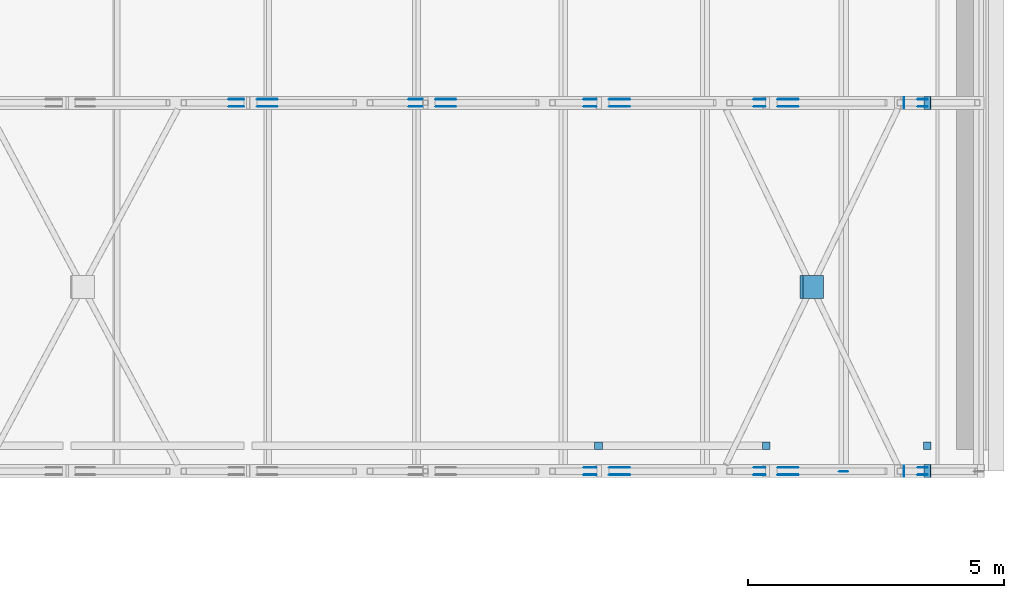
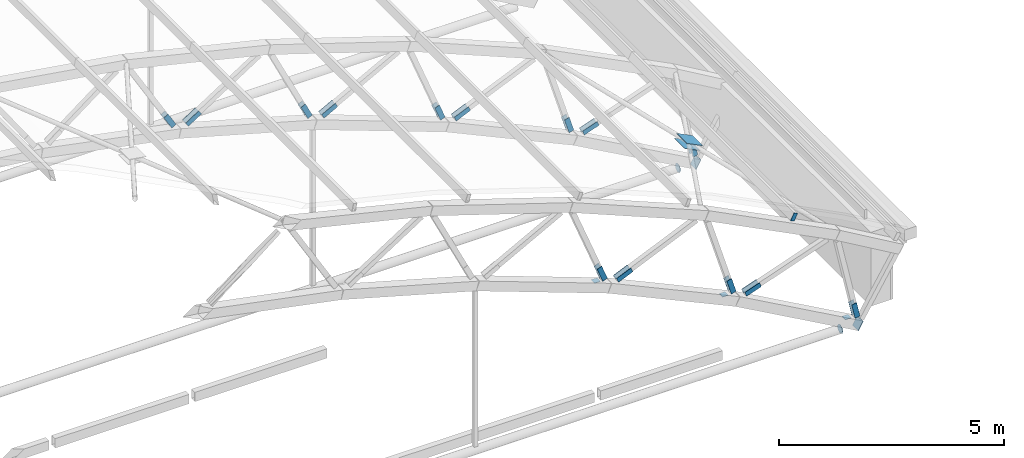
# One storey, part 112 of 127: 38 discrete accessories.
"""IFC4 building model written with IfcOpenShell, lengths in metres."""

import ifcopenshell
import ifcopenshell.guid

model = None  # the IFC model being written
_history = None  # IfcOwnerHistory: only IFC2X3 demands one
_inside = {}  # id of a spatial element -> (the spatial element, [elements in it])
_under = {}  # id of a project, library or spatial element -> (it, [spatial elements below it])
_declared = {}  # id of a project -> (the project, [libraries it declares])
_typed = {}  # id of a type object -> (the type object, [elements of that type])
_made_of = {}  # id of a material, layer set ... -> (it, [elements and type objects made of it])


def new_model(schema):
    """Start an empty IFC model of exactly this schema.

    Asked for "IFC4X3", IfcOpenShell would pick the latest addendum, in which some entities
    have other attributes; the version numbers below select the first issue.
    IFC2X3 requires an IfcOwnerHistory on every rooted entity: one is made here for all.
    """
    global model, _history
    if schema == "IFC4X3":
        model = ifcopenshell.file(schema_version=(4, 3, 0, 0))
    else:
        model = ifcopenshell.file(schema=schema)
    _inside.clear()
    _under.clear()
    _declared.clear()
    _typed.clear()
    _made_of.clear()
    _history = None
    if model.schema == "IFC2X3":
        org = make("IfcOrganization", Name="unknown")
        user = make(
            "IfcPersonAndOrganization",
            ThePerson=make("IfcPerson", FamilyName="unknown"),
            TheOrganization=org,
        )
        app = make(
            "IfcApplication",
            ApplicationDeveloper=org,
            Version="unknown",
            ApplicationFullName="unknown",
            ApplicationIdentifier="unknown",
        )
        _history = make(
            "IfcOwnerHistory",
            OwningUser=user,
            OwningApplication=app,
            ChangeAction="ADDED",
            CreationDate=0,
        )
    return model


def make(cls, **values):
    """One entity of the class cls with the attributes given. An attribute that is None is left unset."""
    return model.create_entity(
        cls, **{name: value for name, value in values.items() if value is not None}
    )


def rooted(cls, **values):
    """An entity with a GlobalId (a new one), such as an element, a storey or a relation."""
    return make(cls, GlobalId=ifcopenshell.guid.new(), OwnerHistory=_history, **values)


def si_unit(unit_type, name, prefix=None):
    """IfcSIUnit, for example si_unit("LENGTHUNIT", "METRE", prefix="MILLI")."""
    return make("IfcSIUnit", UnitType=unit_type, Prefix=prefix, Name=name)


def assignment(units):
    """IfcUnitAssignment: the units of a project."""
    return None if units is None else make("IfcUnitAssignment", Units=units)


def point(xyz):
    """IfcCartesianPoint."""
    return None if xyz is None else make("IfcCartesianPoint", Coordinates=xyz)


def direction(xyz):
    """IfcDirection."""
    return None if xyz is None else make("IfcDirection", DirectionRatios=xyz)


def frame(location, z_axis=None, x_axis=None):
    """IfcAxis2Placement3D, a coordinate frame: its origin and axes. An axis left out is left unset."""
    return make(
        "IfcAxis2Placement3D",
        Location=point(location),
        Axis=direction(z_axis),
        RefDirection=direction(x_axis),
    )


def frame_2d(location, x_axis=None):
    """IfcAxis2Placement2D, a coordinate frame in the plane: its origin and x axis."""
    return make(
        "IfcAxis2Placement2D", Location=point(location), RefDirection=direction(x_axis)
    )


def origin():
    """The frame at (0, 0, 0) with its axes left unset."""
    return frame((0.0, 0.0, 0.0))


def origin_2d():
    """The frame at (0, 0) in the plane with its x axis left unset."""
    return frame_2d((0.0, 0.0))


def place(relative_to, where):
    """IfcLocalPlacement: puts the frame where relative to a parent placement (None: the world)."""
    return make(
        "IfcLocalPlacement", PlacementRelTo=relative_to, RelativePlacement=where
    )


def context(
    kind, dimensions, precision=None, world=None, true_north=None, identifier=None
):
    """IfcGeometricRepresentationContext, for example the 3D "Model" context."""
    return make(
        "IfcGeometricRepresentationContext",
        ContextIdentifier=identifier,
        ContextType=kind,
        CoordinateSpaceDimension=dimensions,
        Precision=precision,
        WorldCoordinateSystem=world,
        TrueNorth=true_north,
    )


def subcontext(parent, identifier, kind, view, scale=None):
    """IfcGeometricRepresentationSubContext, for example "Body" below "Model"."""
    return make(
        "IfcGeometricRepresentationSubContext",
        ContextIdentifier=identifier,
        ContextType=kind,
        ParentContext=parent,
        TargetScale=scale,
        TargetView=view,
    )


def project(units=None, contexts=None):
    """IfcProject with its units and contexts."""
    return rooted(
        "IfcProject",
        Name="project",
        RepresentationContexts=contexts,
        UnitsInContext=assignment(units),
    )


def spatial(cls, under=None, at=None, **own):
    """A site, building, storey or space (cls), placed at a placement, below another one or the project."""
    s = rooted(cls, ObjectPlacement=at, **own)
    if under is not None:
        _under.setdefault(under.id(), (under, []))[1].append(s)
    return s


def profile(cls, at=None, kind="AREA", **sizes):
    """A parametric profile (cls). Its sizes go by their IFC names, for example OverallWidth=200.0."""
    return make(cls, ProfileType=kind, Position=at, **sizes)


def rectangle(**sizes):
    """IfcRectangleProfileDef."""
    return profile("IfcRectangleProfileDef", **sizes)


def circle(**sizes):
    """IfcCircleProfileDef."""
    return profile("IfcCircleProfileDef", **sizes)


def extrude(swept, where, along, depth):
    """IfcExtrudedAreaSolid: the profile swept, set in the frame where, extruded along a direction by depth."""
    return make(
        "IfcExtrudedAreaSolid",
        SweptArea=swept,
        Position=where,
        ExtrudedDirection=direction(along),
        Depth=depth,
    )


def shape(context_of_items, identifier, shape_type, items):
    """IfcShapeRepresentation: the items that make up one representation, for example the "Body"."""
    return make(
        "IfcShapeRepresentation",
        ContextOfItems=context_of_items,
        RepresentationIdentifier=identifier,
        RepresentationType=shape_type,
        Items=items,
    )


def material(Name=None, Category=None):
    """IfcMaterial."""
    return make("IfcMaterial", Name=Name, Category=Category)


def material_profile(
    of_material, cross_section, Name=None, Category=None, Priority=None
):
    """IfcMaterialProfile: a cross section and its material."""
    return make(
        "IfcMaterialProfile",
        Name=Name,
        Material=of_material,
        Profile=cross_section,
        Priority=Priority,
        Category=Category,
    )


def profile_set(profiles, Name=None, composite=None):
    """IfcMaterialProfileSet."""
    return make(
        "IfcMaterialProfileSet",
        Name=Name,
        MaterialProfiles=profiles,
        CompositeProfile=composite,
    )


def made_of(thing, what):
    """Note that an element or type object is made of a material, layer set ...; save() writes the relation."""
    if what is not None:
        _made_of.setdefault(what.id(), (what, []))[1].append(thing)
    return thing


def type_object(cls, material=None, **own):
    """A type object (cls), such as IfcWallType, which elements share."""
    return made_of(rooted(cls, **own), material)


def element(
    cls,
    number,
    at=None,
    inside=None,
    cuts=None,
    type_object=None,
    material=None,
    context=None,
    identifier="Body",
    shape_type=None,
    held_by="IfcProductDefinitionShape",
    body=None,
    shapes=None,
    **own,
):
    """One element of the class cls, such as IfcWall. Its Tag is "e" and its number.

    at: its placement. inside: the storey or other place that contains it. cuts: it is an
    opening in that element (IfcRelVoidsElement). A single representation is given by context,
    identifier, shape_type and body (its items); several are given by shapes. held_by: the class
    of the entity that holds the representations. save() writes the other relations.
    """
    e = rooted(cls, Tag="e%d" % number, ObjectPlacement=at, **own)
    if body is not None:
        shapes = [shape(context, identifier, shape_type, body)]
    if shapes is not None:
        e.Representation = make(held_by, Representations=shapes)
    if inside is not None:
        _inside.setdefault(inside.id(), (inside, []))[1].append(e)
    if cuts is not None:
        rooted(
            "IfcRelVoidsElement", RelatingBuildingElement=cuts, RelatedOpeningElement=e
        )
    if type_object is not None:
        _typed.setdefault(type_object.id(), (type_object, []))[1].append(e)
    return made_of(e, material)


def aggregate(whole, parts):
    """IfcRelAggregates: a whole, such as a stair, and the parts it consists of."""
    return rooted("IfcRelAggregates", RelatingObject=whole, RelatedObjects=parts)


def save(model, path):
    """Write the relations noted so far, then the file.

    IfcRelAggregates (storeys below a building ...), IfcRelContainedInSpatialStructure (elements
    in a storey), IfcRelDefinesByType, IfcRelAssociatesMaterial and IfcRelDeclares: one each for
    every whole, place, type object, material and project.
    """
    for whole, parts in _under.values():
        aggregate(whole, parts)
    for where, things in _inside.values():
        rooted(
            "IfcRelContainedInSpatialStructure",
            RelatedElements=things,
            RelatingStructure=where,
        )
    for kind, things in _typed.values():
        rooted("IfcRelDefinesByType", RelatedObjects=things, RelatingType=kind)
    for what, things in _made_of.values():
        rooted("IfcRelAssociatesMaterial", RelatedObjects=things, RelatingMaterial=what)
    for by, libraries in _declared.values():
        rooted("IfcRelDeclares", RelatingContext=by, RelatedDefinitions=libraries)
    model.write(path)


model = new_model("IFC4")

# Units and contexts
model_context = context("Model", 3, precision=1e-05, world=origin(), true_north=direction((0.0, 1.0)))
body_context = subcontext(model_context, "Body", "Model", "MODEL_VIEW")
ifc_project = project(units=[si_unit("LENGTHUNIT", "METRE"), si_unit("AREAUNIT", "SQUARE_METRE"), si_unit("VOLUMEUNIT", "CUBIC_METRE"), si_unit("PLANEANGLEUNIT", "RADIAN"), si_unit("MASSUNIT", "GRAM", prefix="KILO")], contexts=[model_context])

# Site, building, storey
site_placement = place(None, origin())
site = spatial("IfcSite", under=ifc_project, at=site_placement, CompositionType="ELEMENT")
building_placement = place(site_placement, origin())
building = spatial("IfcBuilding", under=site, at=building_placement, Name="Verrick Yard Athletic Hall", CompositionType="ELEMENT")
storey_placement = place(building_placement, frame((0.0, 0.0, 14.0)))
storey = spatial("IfcBuildingStorey", under=building, at=storey_placement, Name="L03", CompositionType="ELEMENT", Elevation=14.0)

# Discrete accessories
ifc_material = material(Name="Structural steel 350W (CSA G40.21)", Category="steel")
ifc_material_profile_1 = material_profile(ifc_material, rectangle(XDim=0.39990234375, YDim=0.126953125, at=origin_2d()), Name="Brace end cheek plate")
ifc_profile_set_1 = profile_set([ifc_material_profile_1], Name="Structural steel 350W (CSA G40.21)")
discrete_accessory_type_1 = type_object("IfcDiscreteAccessoryType", Name="Brace end cheek plate 400x127x12", PredefinedType="BRACKET", material=ifc_profile_set_1)
for number, where, z_axis, x_axis, name in (
    (1, (163.01318359375, 71.9365234375, 3.684814453125), (0.0, -1.0, 0.0), (-0.363562561074, 0.0, 0.931569784925), "Truss web end plate TA1-24 1"),
    (2, (163.01318359375, 72.0634765625, 3.684814453125), (0.0, 1.0, 0.0), (-0.363562561074, 0.0, 0.931569784925), "Truss web end plate TA1-24 2"),
    (3, (163.587158203125, 72.0634765625, 3.447509765625), (0.0, 1.0, 0.0), (0.915285173692, 0.0, 0.402806468194), "Truss web end plate TA1-25 1"),
    (4, (163.587158203125, 71.9365234375, 3.447509765625), (0.0, -1.0, 0.0), (0.915285173692, 0.0, 0.402806468194), "Truss web end plate TA1-25 2"),
    (5, (166.322265625, 71.9365234375, 2.18896484375), (0.0, -1.0, 0.0), (-0.289473335175, 0.0, 0.95718607816), "Truss web end plate TA1-26 1"),
    (6, (166.322265625, 72.0634765625, 2.18896484375), (0.0, 1.0, 0.0), (-0.289473335175, 0.0, 0.95718607816), "Truss web end plate TA1-26 2"),
    (7, (166.8759765625, 72.0634765625, 1.907470703125), (0.0, 1.0, 0.0), (0.944025603302, 0.0, 0.32987218784), "Truss web end plate TA1-27 1"),
    (8, (166.8759765625, 71.9365234375, 1.907470703125), (0.0, -1.0, 0.0), (0.944025603302, 0.0, 0.32987218784), "Truss web end plate TA1-27 2"),
    (9, (169.509033203125, 71.9365234375, 0.416015625), (0.0, -1.0, 0.0), (-0.213605450371, 0.0, 0.976920012883), "Truss web end plate TA1-28 1"),
    (10, (169.509033203125, 72.0634765625, 0.416015625), (0.0, 1.0, 0.0), (-0.213605450371, 0.0, 0.976920012883), "Truss web end plate TA1-28 2"),
    (11, (156.094970703125, 79.136474609375, 5.877685546875), (0.0, -1.0, 0.0), (-0.504596608522, 0.0, 0.863355235502), "Truss web end plate TA2-20 1"),
    (12, (156.094970703125, 79.263427734375, 5.877685546875), (0.0, 1.0, 0.0), (-0.504596608522, 0.0, 0.863355235502), "Truss web end plate TA2-20 2"),
    (13, (156.698974609375, 79.263427734375, 5.73291015625), (0.0, 1.0, 0.0), (0.841141186405, 0.0, 0.540815591984), "Truss web end plate TA2-21 1"),
    (14, (156.698974609375, 79.136474609375, 5.73291015625), (0.0, -1.0, 0.0), (0.841141186405, 0.0, 0.540815591984), "Truss web end plate TA2-21 2"),
    (15, (159.59716796875, 79.136474609375, 4.9169921875), (0.0, -1.0, 0.0), (-0.435417263932, 0.0, 0.90022875219), "Truss web end plate TA2-22 1"),
    (16, (159.59716796875, 79.263427734375, 4.9169921875), (0.0, 1.0, 0.0), (-0.435417263932, 0.0, 0.90022875219), "Truss web end plate TA2-22 2"),
    (17, (160.187744140625, 79.263427734375, 4.725341796875), (0.0, 1.0, 0.0), (0.880919955637, 0.0, 0.473265286876), "Truss web end plate TA2-23 1"),
    (18, (160.187744140625, 79.136474609375, 4.725341796875), (0.0, -1.0, 0.0), (0.880919955637, 0.0, 0.473265286876), "Truss web end plate TA2-23 2"),
    (19, (163.01318359375, 79.136474609375, 3.684814453125), (0.0, -1.0, 0.0), (-0.363562561074, 0.0, 0.931569784925), "Truss web end plate TA2-24 1"),
    (20, (163.01318359375, 79.263427734375, 3.684814453125), (0.0, 1.0, 0.0), (-0.363562561074, 0.0, 0.931569784925), "Truss web end plate TA2-24 2"),
    (21, (163.587158203125, 79.263427734375, 3.447509765625), (0.0, 1.0, 0.0), (0.915285173692, 0.0, 0.402806468194), "Truss web end plate TA2-25 1"),
    (22, (163.587158203125, 79.136474609375, 3.447509765625), (0.0, -1.0, 0.0), (0.915285173692, 0.0, 0.402806468194), "Truss web end plate TA2-25 2"),
    (23, (166.322265625, 79.136474609375, 2.18896484375), (0.0, -1.0, 0.0), (-0.289473335175, 0.0, 0.95718607816), "Truss web end plate TA2-26 1"),
    (24, (166.322265625, 79.263427734375, 2.18896484375), (0.0, 1.0, 0.0), (-0.289473335175, 0.0, 0.95718607816), "Truss web end plate TA2-26 2"),
    (25, (166.8759765625, 79.263427734375, 1.907470703125), (0.0, 1.0, 0.0), (0.944025603302, 0.0, 0.32987218784), "Truss web end plate TA2-27 1"),
    (26, (166.8759765625, 79.136474609375, 1.907470703125), (0.0, -1.0, 0.0), (0.944025603302, 0.0, 0.32987218784), "Truss web end plate TA2-27 2"),
    (27, (169.509033203125, 79.136474609375, 0.416015625), (0.0, -1.0, 0.0), (-0.213605450371, 0.0, 0.976920012883), "Truss web end plate TA2-28 1"),
    (28, (169.509033203125, 79.263427734375, 0.416015625), (0.0, 1.0, 0.0), (-0.213605450371, 0.0, 0.976920012883), "Truss web end plate TA2-28 2"),
):
    element("IfcDiscreteAccessory", number, at=place(storey_placement, frame(where, z_axis=z_axis, x_axis=x_axis)), inside=storey, type_object=discrete_accessory_type_1, Name=name, PredefinedType="BRACKET", context=body_context, shape_type="SweptSolid", body=[
        extrude(rectangle(XDim=0.39990234375, YDim=0.126953125, at=origin_2d()), origin(), (0.0, 0.0, 1.0), 0.011962890625),
    ])
ifc_material_profile_2 = material_profile(ifc_material, rectangle(XDim=0.449951171875, YDim=0.449951171875, at=origin_2d()), Name="Brace node plate")
ifc_profile_set_2 = profile_set([ifc_material_profile_2], Name="Structural steel 350W (CSA G40.21)")
discrete_accessory_type_2 = type_object("IfcDiscreteAccessoryType", Name="Brace node plate 450x450x12", PredefinedType="BRACKET", material=ifc_profile_set_2)
for number, where, z_axis, x_axis, name in (
    (29, (167.316162109375, 75.60009765625, 3.458251953125), (-0.4472135955, 0.0, -0.894427191), (0.0, -1.0, 0.0), "Brace node plate A1-12 1"),
    (30, (167.3681640625, 75.60009765625, 3.56005859375), (0.4472135955, 0.0, 0.894427191), (0.0, 1.0, 0.0), "Brace node plate A1-12 2"),
):
    element("IfcDiscreteAccessory", number, at=place(storey_placement, frame(where, z_axis=z_axis, x_axis=x_axis)), inside=storey, type_object=discrete_accessory_type_2, Name=name, PredefinedType="BRACKET", context=body_context, shape_type="SweptSolid", body=[
        extrude(rectangle(XDim=0.449951171875, YDim=0.449951171875, at=origin_2d()), origin(), (0.0, 0.0, 1.0), 0.011962890625),
    ])
ifc_material_profile_3 = material_profile(ifc_material, rectangle(XDim=0.1015625, YDim=0.203125, at=origin_2d()), Name="STR End cap plate 203x102x9.5")
ifc_profile_set_3 = profile_set([ifc_material_profile_3], Name="Structural steel 350W (CSA G40.21)")
discrete_accessory_type_3 = type_object("IfcDiscreteAccessoryType", Name="STR End cap plate 203x102x9.5", PredefinedType="BRACKET", material=ifc_profile_set_3)
discrete_accessory_placement = place(storey_placement, frame((167.965087890625, 71.989990234375, 3.44873046875), z_axis=(0.0, 1.0, 0.0), x_axis=(-0.891352741199, 0.0, 0.453310369126)))
element("IfcDiscreteAccessory", 31, at=discrete_accessory_placement, inside=storey, type_object=discrete_accessory_type_3, Name="End cap HB-PU-A-1-17 A", PredefinedType="BRACKET", context=body_context, shape_type="SweptSolid", body=[
    extrude(rectangle(XDim=0.1015625, YDim=0.203125, at=origin_2d()), origin(), (0.0, 0.0, 1.0), 0.010009765625),
])
ifc_material_profile_4 = material_profile(ifc_material, rectangle(XDim=0.25390625, YDim=0.25390625, at=origin_2d()), Name="STR End cap plate 254x254x9.5")
ifc_profile_set_4 = profile_set([ifc_material_profile_4], Name="Structural steel 350W (CSA G40.21)")
discrete_accessory_type_4 = type_object("IfcDiscreteAccessoryType", Name="STR End cap plate 254x254x9.5", PredefinedType="BRACKET", material=ifc_profile_set_4)
for number, where, z_axis, x_axis, name in (
    (32, (169.60009765625, 79.199951171875, 0.0), (0.868243142124, 0.0, -0.496138938357), (0.0, 1.0, 0.0), "End cap Truss TA2 bottom chord 14 B"),
    (33, (169.60009765625, 72.0, 0.0), (0.868243142124, 0.0, -0.496138938357), (0.0, 1.0, 0.0), "End cap Truss TA1 bottom chord 14 B"),
):
    element("IfcDiscreteAccessory", number, at=place(storey_placement, frame(where, z_axis=z_axis, x_axis=x_axis)), inside=storey, type_object=discrete_accessory_type_4, Name=name, PredefinedType="BRACKET", context=body_context, shape_type="SweptSolid", body=[
        extrude(rectangle(XDim=0.25390625, YDim=0.25390625, at=origin_2d()), origin(), (0.0, 0.0, 1.0), 0.009765625),
    ])
ifc_material_profile_5 = material_profile(ifc_material, rectangle(XDim=0.15234375, YDim=0.15234375, at=origin_2d()), Name="STR End cap plate 152x152x9.5")
ifc_profile_set_5 = profile_set([ifc_material_profile_5], Name="Structural steel 350W (CSA G40.21)")
discrete_accessory_type_5 = type_object("IfcDiscreteAccessoryType", Name="STR End cap plate 152x152x9.5", PredefinedType="BRACKET", material=ifc_profile_set_5)
for number, where, z_axis, x_axis, name in (
    (34, (166.452392578125, 72.49462890625, 1.5712890625), (0.0, 0.0, 1.0), (1.0, 0.0, 0.0), "End cap HB-GP-AS-13 B"),
    (35, (163.176513671875, 72.49462890625, 3.092041015625), (0.0, 0.0, 1.0), (1.0, 0.0, 0.0), "End cap HB-GP-AS-12 B"),
    (36, (169.60009765625, 72.49462890625, -0.1455078125), (0.0, 0.0, 1.0), (1.0, 0.0, 0.0), "End cap HB-GP-AS-14 B"),
):
    element("IfcDiscreteAccessory", number, at=place(storey_placement, frame(where, z_axis=z_axis, x_axis=x_axis)), inside=storey, type_object=discrete_accessory_type_5, Name=name, PredefinedType="BRACKET", context=body_context, shape_type="SweptSolid", body=[
        extrude(rectangle(XDim=0.15234375, YDim=0.15234375, at=origin_2d()), origin(), (0.0, 0.0, 1.0), 0.010009765625),
    ])
ifc_material_profile_6 = material_profile(ifc_material, circle(Radius=0.109619140625, at=origin_2d()), Name="STR End cap plate 219x13")
ifc_profile_set_6 = profile_set([ifc_material_profile_6], Name="Structural steel 350W (CSA G40.21)")
discrete_accessory_type_6 = type_object("IfcDiscreteAccessoryType", Name="STR End cap plate 219x13", PredefinedType="BRACKET", material=ifc_profile_set_6)
for number, where, z_axis, x_axis, name in (
    (37, (169.143798828125, 72.0, 0.0), (1.0, 0.0, 0.0), (0.0, 1.0, 0.0), "End cap Truss TA1 tie 1 B"),
    (38, (169.143798828125, 79.199951171875, 0.0), (1.0, 0.0, 0.0), (0.0, 1.0, 0.0), "End cap Truss TA2 tie 1 B"),
):
    element("IfcDiscreteAccessory", number, at=place(storey_placement, frame(where, z_axis=z_axis, x_axis=x_axis)), inside=storey, type_object=discrete_accessory_type_6, Name=name, PredefinedType="BRACKET", context=body_context, shape_type="SweptSolid", body=[
        extrude(circle(Radius=0.109619140625, at=origin_2d()), origin(), (0.0, 0.0, 1.0), 0.010009765625),
    ])

save(model, "model.ifc")
